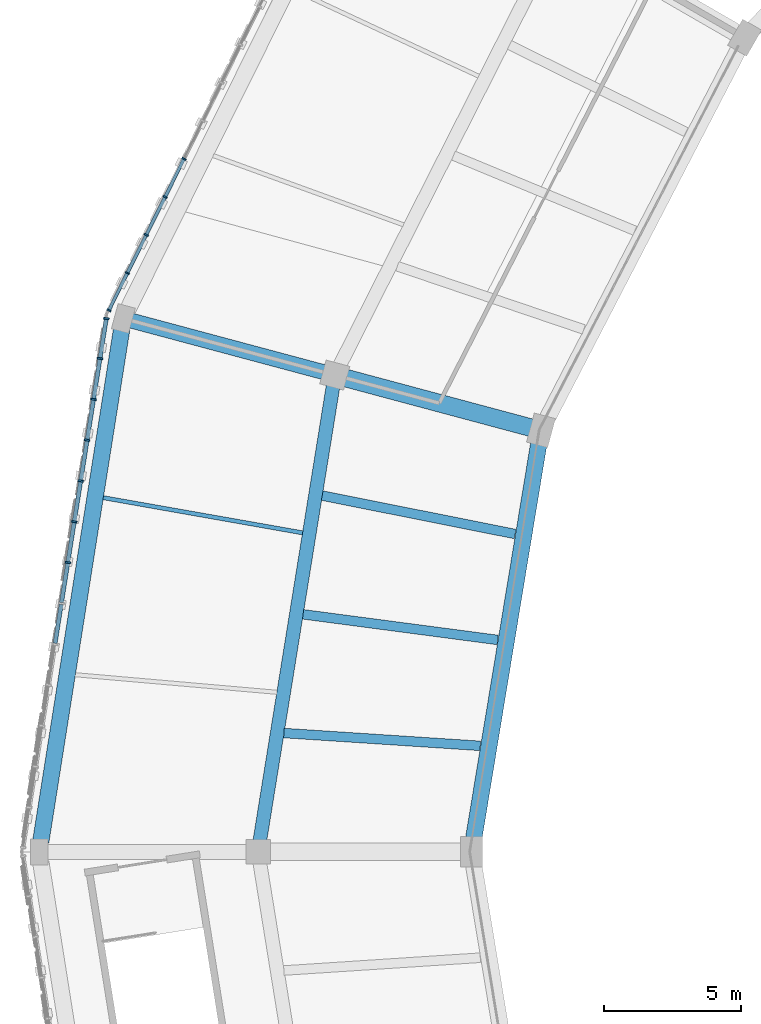
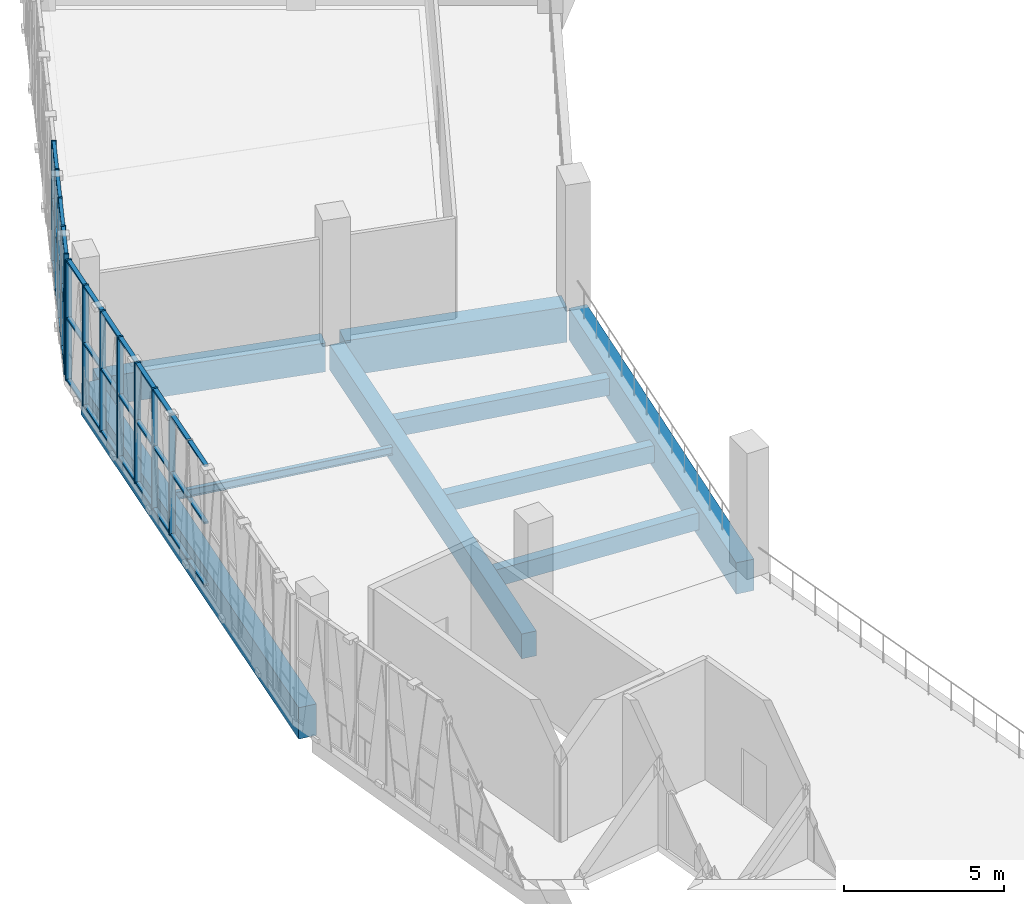
# One storey, part 13 of 64: 48 members, 9 beams, 2 elements without a shape of their own.
"""IFC4 building model written with IfcOpenShell, lengths in metres."""

import ifcopenshell
import ifcopenshell.guid

model = None  # the IFC model being written
_history = None  # IfcOwnerHistory: only IFC2X3 demands one
_inside = {}  # id of a spatial element -> (the spatial element, [elements in it])
_under = {}  # id of a project, library or spatial element -> (it, [spatial elements below it])
_declared = {}  # id of a project -> (the project, [libraries it declares])
_typed = {}  # id of a type object -> (the type object, [elements of that type])
_made_of = {}  # id of a material, layer set ... -> (it, [elements and type objects made of it])


def new_model(schema):
    """Start an empty IFC model of exactly this schema.

    Asked for "IFC4X3", IfcOpenShell would pick the latest addendum, in which some entities
    have other attributes; the version numbers below select the first issue.
    IFC2X3 requires an IfcOwnerHistory on every rooted entity: one is made here for all.
    """
    global model, _history
    if schema == "IFC4X3":
        model = ifcopenshell.file(schema_version=(4, 3, 0, 0))
    else:
        model = ifcopenshell.file(schema=schema)
    _inside.clear()
    _under.clear()
    _declared.clear()
    _typed.clear()
    _made_of.clear()
    _history = None
    if model.schema == "IFC2X3":
        org = make("IfcOrganization", Name="unknown")
        user = make(
            "IfcPersonAndOrganization",
            ThePerson=make("IfcPerson", FamilyName="unknown"),
            TheOrganization=org,
        )
        app = make(
            "IfcApplication",
            ApplicationDeveloper=org,
            Version="unknown",
            ApplicationFullName="unknown",
            ApplicationIdentifier="unknown",
        )
        _history = make(
            "IfcOwnerHistory",
            OwningUser=user,
            OwningApplication=app,
            ChangeAction="ADDED",
            CreationDate=0,
        )
    return model


def make(cls, **values):
    """One entity of the class cls with the attributes given. An attribute that is None is left unset."""
    return model.create_entity(
        cls, **{name: value for name, value in values.items() if value is not None}
    )


def rooted(cls, **values):
    """An entity with a GlobalId (a new one), such as an element, a storey or a relation."""
    return make(cls, GlobalId=ifcopenshell.guid.new(), OwnerHistory=_history, **values)


def si_unit(unit_type, name, prefix=None):
    """IfcSIUnit, for example si_unit("LENGTHUNIT", "METRE", prefix="MILLI")."""
    return make("IfcSIUnit", UnitType=unit_type, Prefix=prefix, Name=name)


def assignment(units):
    """IfcUnitAssignment: the units of a project."""
    return None if units is None else make("IfcUnitAssignment", Units=units)


def point(xyz):
    """IfcCartesianPoint."""
    return None if xyz is None else make("IfcCartesianPoint", Coordinates=xyz)


def direction(xyz):
    """IfcDirection."""
    return None if xyz is None else make("IfcDirection", DirectionRatios=xyz)


def frame(location, z_axis=None, x_axis=None):
    """IfcAxis2Placement3D, a coordinate frame: its origin and axes. An axis left out is left unset."""
    return make(
        "IfcAxis2Placement3D",
        Location=point(location),
        Axis=direction(z_axis),
        RefDirection=direction(x_axis),
    )


def frame_2d(location, x_axis=None):
    """IfcAxis2Placement2D, a coordinate frame in the plane: its origin and x axis."""
    return make(
        "IfcAxis2Placement2D", Location=point(location), RefDirection=direction(x_axis)
    )


def origin():
    """The frame at (0, 0, 0) with its axes left unset."""
    return frame((0.0, 0.0, 0.0))


def origin_2d():
    """The frame at (0, 0) in the plane with its x axis left unset."""
    return frame_2d((0.0, 0.0))


def place(relative_to, where):
    """IfcLocalPlacement: puts the frame where relative to a parent placement (None: the world)."""
    return make(
        "IfcLocalPlacement", PlacementRelTo=relative_to, RelativePlacement=where
    )


def context(
    kind, dimensions, precision=None, world=None, true_north=None, identifier=None
):
    """IfcGeometricRepresentationContext, for example the 3D "Model" context."""
    return make(
        "IfcGeometricRepresentationContext",
        ContextIdentifier=identifier,
        ContextType=kind,
        CoordinateSpaceDimension=dimensions,
        Precision=precision,
        WorldCoordinateSystem=world,
        TrueNorth=true_north,
    )


def subcontext(parent, identifier, kind, view, scale=None):
    """IfcGeometricRepresentationSubContext, for example "Body" below "Model"."""
    return make(
        "IfcGeometricRepresentationSubContext",
        ContextIdentifier=identifier,
        ContextType=kind,
        ParentContext=parent,
        TargetScale=scale,
        TargetView=view,
    )


def project(units=None, contexts=None):
    """IfcProject with its units and contexts."""
    return rooted(
        "IfcProject",
        Name="project",
        RepresentationContexts=contexts,
        UnitsInContext=assignment(units),
    )


def spatial(cls, under=None, at=None, **own):
    """A site, building, storey or space (cls), placed at a placement, below another one or the project."""
    s = rooted(cls, ObjectPlacement=at, **own)
    if under is not None:
        _under.setdefault(under.id(), (under, []))[1].append(s)
    return s


def profile(cls, at=None, kind="AREA", **sizes):
    """A parametric profile (cls). Its sizes go by their IFC names, for example OverallWidth=200.0."""
    return make(cls, ProfileType=kind, Position=at, **sizes)


def rectangle(**sizes):
    """IfcRectangleProfileDef."""
    return profile("IfcRectangleProfileDef", **sizes)


def i_section(**sizes):
    """IfcIShapeProfileDef."""
    return profile("IfcIShapeProfileDef", **sizes)


def extrude(swept, where, along, depth):
    """IfcExtrudedAreaSolid: the profile swept, set in the frame where, extruded along a direction by depth."""
    return make(
        "IfcExtrudedAreaSolid",
        SweptArea=swept,
        Position=where,
        ExtrudedDirection=direction(along),
        Depth=depth,
    )


def shape(context_of_items, identifier, shape_type, items):
    """IfcShapeRepresentation: the items that make up one representation, for example the "Body"."""
    return make(
        "IfcShapeRepresentation",
        ContextOfItems=context_of_items,
        RepresentationIdentifier=identifier,
        RepresentationType=shape_type,
        Items=items,
    )


def material(Name=None, Category=None):
    """IfcMaterial."""
    return make("IfcMaterial", Name=Name, Category=Category)


def material_profile(
    of_material, cross_section, Name=None, Category=None, Priority=None
):
    """IfcMaterialProfile: a cross section and its material."""
    return make(
        "IfcMaterialProfile",
        Name=Name,
        Material=of_material,
        Profile=cross_section,
        Priority=Priority,
        Category=Category,
    )


def profile_set(profiles, Name=None, composite=None):
    """IfcMaterialProfileSet."""
    return make(
        "IfcMaterialProfileSet",
        Name=Name,
        MaterialProfiles=profiles,
        CompositeProfile=composite,
    )


def made_of(thing, what):
    """Note that an element or type object is made of a material, layer set ...; save() writes the relation."""
    if what is not None:
        _made_of.setdefault(what.id(), (what, []))[1].append(thing)
    return thing


def type_object(cls, material=None, **own):
    """A type object (cls), such as IfcWallType, which elements share."""
    return made_of(rooted(cls, **own), material)


def element(
    cls,
    number,
    at=None,
    inside=None,
    cuts=None,
    type_object=None,
    material=None,
    context=None,
    identifier="Body",
    shape_type=None,
    held_by="IfcProductDefinitionShape",
    body=None,
    shapes=None,
    **own,
):
    """One element of the class cls, such as IfcWall. Its Tag is "e" and its number.

    at: its placement. inside: the storey or other place that contains it. cuts: it is an
    opening in that element (IfcRelVoidsElement). A single representation is given by context,
    identifier, shape_type and body (its items); several are given by shapes. held_by: the class
    of the entity that holds the representations. save() writes the other relations.
    """
    e = rooted(cls, Tag="e%d" % number, ObjectPlacement=at, **own)
    if body is not None:
        shapes = [shape(context, identifier, shape_type, body)]
    if shapes is not None:
        e.Representation = make(held_by, Representations=shapes)
    if inside is not None:
        _inside.setdefault(inside.id(), (inside, []))[1].append(e)
    if cuts is not None:
        rooted(
            "IfcRelVoidsElement", RelatingBuildingElement=cuts, RelatedOpeningElement=e
        )
    if type_object is not None:
        _typed.setdefault(type_object.id(), (type_object, []))[1].append(e)
    return made_of(e, material)


def aggregate(whole, parts):
    """IfcRelAggregates: a whole, such as a stair, and the parts it consists of."""
    return rooted("IfcRelAggregates", RelatingObject=whole, RelatedObjects=parts)


def save(model, path):
    """Write the relations noted so far, then the file.

    IfcRelAggregates (storeys below a building ...), IfcRelContainedInSpatialStructure (elements
    in a storey), IfcRelDefinesByType, IfcRelAssociatesMaterial and IfcRelDeclares: one each for
    every whole, place, type object, material and project.
    """
    for whole, parts in _under.values():
        aggregate(whole, parts)
    for where, things in _inside.values():
        rooted(
            "IfcRelContainedInSpatialStructure",
            RelatedElements=things,
            RelatingStructure=where,
        )
    for kind, things in _typed.values():
        rooted("IfcRelDefinesByType", RelatedObjects=things, RelatingType=kind)
    for what, things in _made_of.values():
        rooted("IfcRelAssociatesMaterial", RelatedObjects=things, RelatingMaterial=what)
    for by, libraries in _declared.values():
        rooted("IfcRelDeclares", RelatingContext=by, RelatedDefinitions=libraries)
    model.write(path)


model = new_model("IFC4")

# Units and contexts
model_context = context("Model", 3, precision=1e-05, world=origin(), true_north=direction((0.0, 1.0)))
body_context = subcontext(model_context, "Body", "Model", "MODEL_VIEW")
ifc_project = project(units=[si_unit("LENGTHUNIT", "METRE"), si_unit("AREAUNIT", "SQUARE_METRE"), si_unit("VOLUMEUNIT", "CUBIC_METRE"), si_unit("PLANEANGLEUNIT", "RADIAN"), si_unit("MASSUNIT", "GRAM", prefix="KILO")], contexts=[model_context])

# Site, building, storey
site_placement = place(None, origin())
site = spatial("IfcSite", under=ifc_project, at=site_placement, CompositionType="ELEMENT")
building_placement = place(site_placement, origin())
building = spatial("IfcBuilding", under=site, at=building_placement, Name="Zevraka Park Crest Stadium", CompositionType="ELEMENT")
storey_placement = place(building_placement, frame((0.0, 0.0, 24.60009765625)))
storey = spatial("IfcBuildingStorey", under=building, at=storey_placement, Name="L05", CompositionType="ELEMENT", Elevation=24.60009765625)

# Beams
ifc_material_1 = material(Name="Concrete C40/50", Category="concrete")
ifc_material_profile_1 = material_profile(ifc_material_1, rectangle(XDim=0.64990234375, YDim=1.35009765625, at=origin_2d()), Name="RC 1350x650")
ifc_profile_set_1 = profile_set([ifc_material_profile_1], Name="Concrete C40/50")
beam_type_1 = type_object("IfcBeamType", Name="BG01", PredefinedType="BEAM", material=ifc_profile_set_1)
beam_1_placement = place(storey_placement, frame((39.7490234375, 107.47802734375, -0.68505859375), z_axis=(-0.965945630245, 0.258745124417, 0.0), x_axis=(-0.258745124417, -0.965945630245, 0.0)))
element("IfcBeam", 1, at=beam_1_placement, inside=storey, type_object=beam_type_1, Name="Radial Girder BG01 L05-BC-11", PredefinedType="BEAM", context=body_context, shape_type="SweptSolid", body=[
    extrude(rectangle(XDim=0.64990234375, YDim=1.35009765625, at=origin_2d()), origin(), (0.0, 0.0, 1.0), 7.2001953125),
])
ifc_material_2 = material(Name="Concrete C40/50", Category="concrete")
ifc_material_profile_2 = material_profile(ifc_material_2, rectangle(XDim=0.550048828125, YDim=1.10009765625, at=origin_2d()), Name="RC 1100x550")
ifc_profile_set_2 = profile_set([ifc_material_profile_2], Name="Concrete C40/50")
beam_type_2 = type_object("IfcBeamType", Name="BG02", PredefinedType="BEAM", material=ifc_profile_set_2)
beam_2_placement = place(storey_placement, frame((32.214111328125, 109.4970703125, -0.56005859375), z_axis=(-0.965968812251, 0.258658565986, 0.0), x_axis=(-0.258658565986, -0.965968812251, 0.0)))
element("IfcBeam", 2, at=beam_2_placement, inside=storey, type_object=beam_type_2, Name="Radial Girder BG02 L05-CD-11", PredefinedType="BEAM", context=body_context, shape_type="SweptSolid", body=[
    extrude(rectangle(XDim=0.550048828125, YDim=1.10009765625, at=origin_2d()), origin(), (0.0, 0.0, 1.0), 7.39892578125),
])

# Curtain wall, members
ifc_material_3 = material(Name="Anodised architectural aluminium and laminated safety glass", Category="aluminium")
curtain_wall_type_1 = type_object("IfcCurtainWallType", Name="CW22", PredefinedType="NOTDEFINED", material=ifc_material_3)
curtain_wall_1_placement = place(storey_placement, origin())
curtain_wall_1 = element("IfcCurtainWall", 3, at=curtain_wall_1_placement, inside=storey, type_object=curtain_wall_type_1, Name="Unitised Ring Curtain Wall CW22 L05-10", PredefinedType="NOTDEFINED")
ifc_material_4 = material(Name="Anodised architectural aluminium", Category="aluminium")
ifc_material_profile_3 = material_profile(ifc_material_4, rectangle(XDim=0.159912109375, YDim=0.06005859375, at=origin_2d()), Name="ALU MULLION 160x60")
ifc_profile_set_3 = profile_set([ifc_material_profile_3], Name="Anodised architectural aluminium")
member_type_1 = type_object("IfcMemberType", Name="CM01", PredefinedType="MULLION", material=ifc_profile_set_3)
member_1_placement = place(storey_placement, frame((26.99365234375, 117.32275390625, 0.0), z_axis=(0.0, 0.0, 1.0), x_axis=(0.895879320455, -0.444297471499, 0.0)))
member_1 = element("IfcMember", 4, at=member_1_placement, type_object=member_type_1, Name="CW22 mullion 10", PredefinedType="MULLION", context=body_context, shape_type="SweptSolid", body=[
    extrude(rectangle(XDim=0.159912109375, YDim=0.06005859375, at=origin_2d()), origin(), (0.0, 0.0, 1.0), 4.619873046875),
])
member_2_placement = place(storey_placement, frame((26.303955078125, 115.93212890625, 0.0), z_axis=(0.0, 0.0, 1.0), x_axis=(0.895879320455, -0.444297471499, 0.0)))
member_2 = element("IfcMember", 5, at=member_2_placement, type_object=member_type_1, Name="CW22 mullion 11", PredefinedType="MULLION", context=body_context, shape_type="SweptSolid", body=[
    extrude(rectangle(XDim=0.159912109375, YDim=0.06005859375, at=origin_2d()), origin(), (0.0, 0.0, 1.0), 4.619873046875),
])
member_3_placement = place(storey_placement, frame((25.614501953125, 114.54150390625, 0.0), z_axis=(0.0, 0.0, 1.0), x_axis=(0.895879320455, -0.444297471499, 0.0)))
member_3 = element("IfcMember", 6, at=member_3_placement, type_object=member_type_1, Name="CW22 mullion 12", PredefinedType="MULLION", context=body_context, shape_type="SweptSolid", body=[
    extrude(rectangle(XDim=0.159912109375, YDim=0.06005859375, at=origin_2d()), origin(), (0.0, 0.0, 1.0), 4.619873046875),
])
member_4_placement = place(storey_placement, frame((24.9248046875, 113.150634765625, 0.0), z_axis=(0.0, 0.0, 1.0), x_axis=(0.895879320455, -0.444297471499, 0.0)))
member_4 = element("IfcMember", 7, at=member_4_placement, type_object=member_type_1, Name="CW22 mullion 13", PredefinedType="MULLION", context=body_context, shape_type="SweptSolid", body=[
    extrude(rectangle(XDim=0.159912109375, YDim=0.06005859375, at=origin_2d()), origin(), (0.0, 0.0, 1.0), 4.619873046875),
])
member_5_placement = place(storey_placement, frame((24.248291015625, 111.786865234375, 0.0), z_axis=(0.0, 0.0, 1.0), x_axis=(0.895879320455, -0.444297471499, 0.0)))
member_5 = element("IfcMember", 8, at=member_5_placement, type_object=member_type_1, Name="CW22 mullion 14", PredefinedType="MULLION", context=body_context, shape_type="SweptSolid", body=[
    extrude(rectangle(XDim=0.159912109375, YDim=0.06005859375, at=origin_2d()), origin(), (0.0, 0.0, 1.0), 4.619873046875),
])

ifc_material_5 = material(Name="Anodised architectural aluminium and laminated safety glass", Category="aluminium")
curtain_wall_type_2 = type_object("IfcCurtainWallType", Name="CW21", PredefinedType="NOTDEFINED", material=ifc_material_5)
curtain_wall_2_placement = place(storey_placement, origin())
curtain_wall_2 = element("IfcCurtainWall", 9, at=curtain_wall_2_placement, inside=storey, type_object=curtain_wall_type_2, Name="Unitised Ring Curtain Wall CW21 L05-11", PredefinedType="NOTDEFINED")
ifc_material_6 = material(Name="Anodised architectural aluminium", Category="aluminium")
ifc_material_profile_4 = material_profile(ifc_material_6, rectangle(XDim=0.199951171875, YDim=0.070068359375, at=origin_2d()), Name="ALU MULLION 200x70")
ifc_profile_set_4 = profile_set([ifc_material_profile_4], Name="Anodised architectural aluminium")
member_type_2 = type_object("IfcMemberType", Name="CM03", PredefinedType="MULLION", material=ifc_profile_set_4)
member_6_placement = place(storey_placement, frame((24.152587890625, 111.484375, 0.0), z_axis=(0.0, 0.0, 1.0), x_axis=(0.987802580924, -0.155711467527, 0.0)))
member_6 = element("IfcMember", 10, at=member_6_placement, type_object=member_type_2, Name="CW21 mullion 1", PredefinedType="MULLION", context=body_context, shape_type="SweptSolid", body=[
    extrude(rectangle(XDim=0.199951171875, YDim=0.070068359375, at=origin_2d()), origin(), (0.0, 0.0, 1.0), 4.619873046875),
])
member_7_placement = place(storey_placement, frame((23.9228515625, 110.02734375, 0.0), z_axis=(0.0, 0.0, 1.0), x_axis=(0.987802580924, -0.155711467527, 0.0)))
member_7 = element("IfcMember", 11, at=member_7_placement, type_object=member_type_2, Name="CW21 mullion 2", PredefinedType="MULLION", context=body_context, shape_type="SweptSolid", body=[
    extrude(rectangle(XDim=0.199951171875, YDim=0.070068359375, at=origin_2d()), origin(), (0.0, 0.0, 1.0), 4.619873046875),
])
member_8_placement = place(storey_placement, frame((23.687744140625, 108.535400390625, 0.0), z_axis=(0.0, 0.0, 1.0), x_axis=(0.987802580924, -0.155711467527, 0.0)))
member_8 = element("IfcMember", 12, at=member_8_placement, type_object=member_type_2, Name="CW21 mullion 3", PredefinedType="MULLION", context=body_context, shape_type="SweptSolid", body=[
    extrude(rectangle(XDim=0.199951171875, YDim=0.070068359375, at=origin_2d()), origin(), (0.0, 0.0, 1.0), 4.619873046875),
])
member_9_placement = place(storey_placement, frame((23.45263671875, 107.043701171875, 0.0), z_axis=(0.0, 0.0, 1.0), x_axis=(0.987802580924, -0.155711467527, 0.0)))
member_9 = element("IfcMember", 13, at=member_9_placement, type_object=member_type_2, Name="CW21 mullion 4", PredefinedType="MULLION", context=body_context, shape_type="SweptSolid", body=[
    extrude(rectangle(XDim=0.199951171875, YDim=0.070068359375, at=origin_2d()), origin(), (0.0, 0.0, 1.0), 4.619873046875),
])
member_10_placement = place(storey_placement, frame((23.21728515625, 105.552001953125, 0.0), z_axis=(0.0, 0.0, 1.0), x_axis=(0.987802580924, -0.155711467527, 0.0)))
member_10 = element("IfcMember", 14, at=member_10_placement, type_object=member_type_2, Name="CW21 mullion 5", PredefinedType="MULLION", context=body_context, shape_type="SweptSolid", body=[
    extrude(rectangle(XDim=0.199951171875, YDim=0.070068359375, at=origin_2d()), origin(), (0.0, 0.0, 1.0), 4.619873046875),
])
member_11_placement = place(storey_placement, frame((22.982177734375, 104.06005859375, 0.0), z_axis=(0.0, 0.0, 1.0), x_axis=(0.987802580924, -0.155711467527, 0.0)))
member_11 = element("IfcMember", 15, at=member_11_placement, type_object=member_type_2, Name="CW21 mullion 6", PredefinedType="MULLION", context=body_context, shape_type="SweptSolid", body=[
    extrude(rectangle(XDim=0.199951171875, YDim=0.070068359375, at=origin_2d()), origin(), (0.0, 0.0, 1.0), 4.619873046875),
])
member_12_placement = place(storey_placement, frame((22.7470703125, 102.568359375, 0.0), z_axis=(0.0, 0.0, 1.0), x_axis=(0.987802580924, -0.155711467527, 0.0)))
member_12 = element("IfcMember", 16, at=member_12_placement, type_object=member_type_2, Name="CW21 mullion 7", PredefinedType="MULLION", context=body_context, shape_type="SweptSolid", body=[
    extrude(rectangle(XDim=0.199951171875, YDim=0.070068359375, at=origin_2d()), origin(), (0.0, 0.0, 1.0), 4.619873046875),
])

# Member
ifc_material_7 = material(Name="Anodised architectural aluminium", Category="aluminium")
ifc_material_profile_5 = material_profile(ifc_material_7, rectangle(XDim=0.1201171875, YDim=0.06005859375, at=origin_2d()), Name="ALU TRANSOM 120x60")
ifc_profile_set_5 = profile_set([ifc_material_profile_5], Name="Anodised architectural aluminium")
member_type_3 = type_object("IfcMemberType", Name="CT01", PredefinedType="USERDEFINED", material=ifc_profile_set_5)
member_13_placement = place(storey_placement, frame((26.98046875, 117.2958984375, 0.02978515625), z_axis=(-0.444331954809, -0.895862218165, 0.0), x_axis=(0.895862218165, -0.444331954809, 0.0)))
member_13 = element("IfcMember", 17, at=member_13_placement, type_object=member_type_3, Name="CW22 transom 10.1", ObjectType="TRANSOM", PredefinedType="USERDEFINED", context=body_context, shape_type="SweptSolid", body=[
    extrude(rectangle(XDim=0.1201171875, YDim=0.06005859375, at=origin_2d()), origin(), (0.0, 0.0, 1.0), 1.492431640625),
])

member_14_placement = place(storey_placement, frame((26.98046875, 117.2958984375, 2.39990234375), z_axis=(-0.444331954809, -0.895862218165, 0.0), x_axis=(0.895862218165, -0.444331954809, 0.0)))
member_14 = element("IfcMember", 18, at=member_14_placement, type_object=member_type_3, Name="CW22 transom 10.2", ObjectType="TRANSOM", PredefinedType="USERDEFINED", context=body_context, shape_type="SweptSolid", body=[
    extrude(rectangle(XDim=0.1201171875, YDim=0.06005859375, at=origin_2d()), origin(), (0.0, 0.0, 1.0), 1.492431640625),
])

member_15_placement = place(storey_placement, frame((26.98046875, 117.2958984375, 4.58984375), z_axis=(-0.444331954809, -0.895862218165, 0.0), x_axis=(0.895862218165, -0.444331954809, 0.0)))
member_15 = element("IfcMember", 19, at=member_15_placement, type_object=member_type_3, Name="CW22 transom 10.3", ObjectType="TRANSOM", PredefinedType="USERDEFINED", context=body_context, shape_type="SweptSolid", body=[
    extrude(rectangle(XDim=0.1201171875, YDim=0.06005859375, at=origin_2d()), origin(), (0.0, 0.0, 1.0), 1.492431640625),
])

member_16_placement = place(storey_placement, frame((26.290771484375, 115.9052734375, 0.02978515625), z_axis=(-0.444331954809, -0.895862218165, 0.0), x_axis=(0.895862218165, -0.444331954809, 0.0)))
member_16 = element("IfcMember", 20, at=member_16_placement, type_object=member_type_3, Name="CW22 transom 11.1", ObjectType="TRANSOM", PredefinedType="USERDEFINED", context=body_context, shape_type="SweptSolid", body=[
    extrude(rectangle(XDim=0.1201171875, YDim=0.06005859375, at=origin_2d()), origin(), (0.0, 0.0, 1.0), 1.492431640625),
])

member_17_placement = place(storey_placement, frame((26.290771484375, 115.9052734375, 2.39990234375), z_axis=(-0.444331954809, -0.895862218165, 0.0), x_axis=(0.895862218165, -0.444331954809, 0.0)))
member_17 = element("IfcMember", 21, at=member_17_placement, type_object=member_type_3, Name="CW22 transom 11.2", ObjectType="TRANSOM", PredefinedType="USERDEFINED", context=body_context, shape_type="SweptSolid", body=[
    extrude(rectangle(XDim=0.1201171875, YDim=0.06005859375, at=origin_2d()), origin(), (0.0, 0.0, 1.0), 1.492431640625),
])

member_18_placement = place(storey_placement, frame((26.290771484375, 115.9052734375, 4.58984375), z_axis=(-0.444331954809, -0.895862218165, 0.0), x_axis=(0.895862218165, -0.444331954809, 0.0)))
member_18 = element("IfcMember", 22, at=member_18_placement, type_object=member_type_3, Name="CW22 transom 11.3", ObjectType="TRANSOM", PredefinedType="USERDEFINED", context=body_context, shape_type="SweptSolid", body=[
    extrude(rectangle(XDim=0.1201171875, YDim=0.06005859375, at=origin_2d()), origin(), (0.0, 0.0, 1.0), 1.492431640625),
])

member_19_placement = place(storey_placement, frame((25.60107421875, 114.514404296875, 0.02978515625), z_axis=(-0.444331954809, -0.895862218165, 0.0), x_axis=(0.895862218165, -0.444331954809, 0.0)))
member_19 = element("IfcMember", 23, at=member_19_placement, type_object=member_type_3, Name="CW22 transom 12.1", ObjectType="TRANSOM", PredefinedType="USERDEFINED", context=body_context, shape_type="SweptSolid", body=[
    extrude(rectangle(XDim=0.1201171875, YDim=0.06005859375, at=origin_2d()), origin(), (0.0, 0.0, 1.0), 1.492431640625),
])

member_20_placement = place(storey_placement, frame((25.60107421875, 114.514404296875, 2.39990234375), z_axis=(-0.444331954809, -0.895862218165, 0.0), x_axis=(0.895862218165, -0.444331954809, 0.0)))
member_20 = element("IfcMember", 24, at=member_20_placement, type_object=member_type_3, Name="CW22 transom 12.2", ObjectType="TRANSOM", PredefinedType="USERDEFINED", context=body_context, shape_type="SweptSolid", body=[
    extrude(rectangle(XDim=0.1201171875, YDim=0.06005859375, at=origin_2d()), origin(), (0.0, 0.0, 1.0), 1.492431640625),
])

member_21_placement = place(storey_placement, frame((25.60107421875, 114.514404296875, 4.58984375), z_axis=(-0.444331954809, -0.895862218165, 0.0), x_axis=(0.895862218165, -0.444331954809, 0.0)))
member_21 = element("IfcMember", 25, at=member_21_placement, type_object=member_type_3, Name="CW22 transom 12.3", ObjectType="TRANSOM", PredefinedType="USERDEFINED", context=body_context, shape_type="SweptSolid", body=[
    extrude(rectangle(XDim=0.1201171875, YDim=0.06005859375, at=origin_2d()), origin(), (0.0, 0.0, 1.0), 1.492431640625),
])

member_22_placement = place(storey_placement, frame((24.911376953125, 113.123779296875, 0.02978515625), z_axis=(-0.444272737826, -0.895891586312, 0.0), x_axis=(0.895891586312, -0.444272737826, 0.0)))
member_22 = element("IfcMember", 26, at=member_22_placement, type_object=member_type_3, Name="CW22 transom 13.1", ObjectType="TRANSOM", PredefinedType="USERDEFINED", context=body_context, shape_type="SweptSolid", body=[
    extrude(rectangle(XDim=0.1201171875, YDim=0.06005859375, at=origin_2d()), origin(), (0.0, 0.0, 1.0), 1.46240234375),
])

member_23_placement = place(storey_placement, frame((24.911376953125, 113.123779296875, 2.39990234375), z_axis=(-0.444272737826, -0.895891586312, 0.0), x_axis=(0.895891586312, -0.444272737826, 0.0)))
member_23 = element("IfcMember", 27, at=member_23_placement, type_object=member_type_3, Name="CW22 transom 13.2", ObjectType="TRANSOM", PredefinedType="USERDEFINED", context=body_context, shape_type="SweptSolid", body=[
    extrude(rectangle(XDim=0.1201171875, YDim=0.06005859375, at=origin_2d()), origin(), (0.0, 0.0, 1.0), 1.46240234375),
])

member_24_placement = place(storey_placement, frame((24.911376953125, 113.123779296875, 4.58984375), z_axis=(-0.444272737826, -0.895891586312, 0.0), x_axis=(0.895891586312, -0.444272737826, 0.0)))
member_24 = element("IfcMember", 28, at=member_24_placement, type_object=member_type_3, Name="CW22 transom 13.3", ObjectType="TRANSOM", PredefinedType="USERDEFINED", context=body_context, shape_type="SweptSolid", body=[
    extrude(rectangle(XDim=0.1201171875, YDim=0.06005859375, at=origin_2d()), origin(), (0.0, 0.0, 1.0), 1.46240234375),
])

aggregate(curtain_wall_1, [member_1, member_2, member_3, member_4, member_5, member_13, member_14, member_15, member_16, member_17, member_18, member_19, member_20, member_21, member_22, member_23, member_24])

ifc_material_8 = material(Name="Anodised architectural aluminium", Category="aluminium")
ifc_material_profile_6 = material_profile(ifc_material_8, rectangle(XDim=0.14990234375, YDim=0.070068359375, at=origin_2d()), Name="ALU TRANSOM 150x70")
ifc_profile_set_6 = profile_set([ifc_material_profile_6], Name="Anodised architectural aluminium")
member_type_4 = type_object("IfcMemberType", Name="CT03", PredefinedType="USERDEFINED", material=ifc_profile_set_6)
member_25_placement = place(storey_placement, frame((24.147216796875, 111.449951171875, 0.034912109375), z_axis=(-0.155828759043, -0.987784084634, 0.0), x_axis=(0.987784084634, -0.155828759043, 0.0)))
member_25 = element("IfcMember", 29, at=member_25_placement, type_object=member_type_4, Name="CW21 transom 1.1", ObjectType="TRANSOM", PredefinedType="USERDEFINED", context=body_context, shape_type="SweptSolid", body=[
    extrude(rectangle(XDim=0.14990234375, YDim=0.070068359375, at=origin_2d()), origin(), (0.0, 0.0, 1.0), 1.4052734375),
])

member_26_placement = place(storey_placement, frame((24.147216796875, 111.449951171875, 2.39990234375), z_axis=(-0.155828759043, -0.987784084634, 0.0), x_axis=(0.987784084634, -0.155828759043, 0.0)))
member_26 = element("IfcMember", 30, at=member_26_placement, type_object=member_type_4, Name="CW21 transom 1.2", ObjectType="TRANSOM", PredefinedType="USERDEFINED", context=body_context, shape_type="SweptSolid", body=[
    extrude(rectangle(XDim=0.14990234375, YDim=0.070068359375, at=origin_2d()), origin(), (0.0, 0.0, 1.0), 1.4052734375),
])

member_27_placement = place(storey_placement, frame((24.147216796875, 111.449951171875, 4.5849609375), z_axis=(-0.155828759043, -0.987784084634, 0.0), x_axis=(0.987784084634, -0.155828759043, 0.0)))
member_27 = element("IfcMember", 31, at=member_27_placement, type_object=member_type_4, Name="CW21 transom 1.3", ObjectType="TRANSOM", PredefinedType="USERDEFINED", context=body_context, shape_type="SweptSolid", body=[
    extrude(rectangle(XDim=0.14990234375, YDim=0.070068359375, at=origin_2d()), origin(), (0.0, 0.0, 1.0), 1.4052734375),
])

member_28_placement = place(storey_placement, frame((23.91748046875, 109.99267578125, 0.034912109375), z_axis=(-0.155788469887, -0.987790439643, 0.0), x_axis=(0.987790439643, -0.155788469887, 0.0)))
member_28 = element("IfcMember", 32, at=member_28_placement, type_object=member_type_4, Name="CW21 transom 2.1", ObjectType="TRANSOM", PredefinedType="USERDEFINED", context=body_context, shape_type="SweptSolid", body=[
    extrude(rectangle(XDim=0.14990234375, YDim=0.070068359375, at=origin_2d()), origin(), (0.0, 0.0, 1.0), 1.440185546875),
])

member_29_placement = place(storey_placement, frame((23.91748046875, 109.99267578125, 2.39990234375), z_axis=(-0.155788469887, -0.987790439643, 0.0), x_axis=(0.987790439643, -0.155788469887, 0.0)))
member_29 = element("IfcMember", 33, at=member_29_placement, type_object=member_type_4, Name="CW21 transom 2.2", ObjectType="TRANSOM", PredefinedType="USERDEFINED", context=body_context, shape_type="SweptSolid", body=[
    extrude(rectangle(XDim=0.14990234375, YDim=0.070068359375, at=origin_2d()), origin(), (0.0, 0.0, 1.0), 1.440185546875),
])

member_30_placement = place(storey_placement, frame((23.91748046875, 109.99267578125, 4.5849609375), z_axis=(-0.155788469887, -0.987790439643, 0.0), x_axis=(0.987790439643, -0.155788469887, 0.0)))
member_30 = element("IfcMember", 34, at=member_30_placement, type_object=member_type_4, Name="CW21 transom 2.3", ObjectType="TRANSOM", PredefinedType="USERDEFINED", context=body_context, shape_type="SweptSolid", body=[
    extrude(rectangle(XDim=0.14990234375, YDim=0.070068359375, at=origin_2d()), origin(), (0.0, 0.0, 1.0), 1.440185546875),
])

member_31_placement = place(storey_placement, frame((23.68212890625, 108.5009765625, 0.034912109375), z_axis=(-0.155623058031, -0.98781651323, 0.0), x_axis=(0.98781651323, -0.155623058031, 0.0)))
member_31 = element("IfcMember", 35, at=member_31_placement, type_object=member_type_4, Name="CW21 transom 3.1", ObjectType="TRANSOM", PredefinedType="USERDEFINED", context=body_context, shape_type="SweptSolid", body=[
    extrude(rectangle(XDim=0.14990234375, YDim=0.070068359375, at=origin_2d()), origin(), (0.0, 0.0, 1.0), 1.440185546875),
])

member_32_placement = place(storey_placement, frame((23.68212890625, 108.5009765625, 2.39990234375), z_axis=(-0.155623058031, -0.98781651323, 0.0), x_axis=(0.98781651323, -0.155623058031, 0.0)))
member_32 = element("IfcMember", 36, at=member_32_placement, type_object=member_type_4, Name="CW21 transom 3.2", ObjectType="TRANSOM", PredefinedType="USERDEFINED", context=body_context, shape_type="SweptSolid", body=[
    extrude(rectangle(XDim=0.14990234375, YDim=0.070068359375, at=origin_2d()), origin(), (0.0, 0.0, 1.0), 1.440185546875),
])

member_33_placement = place(storey_placement, frame((23.68212890625, 108.5009765625, 4.5849609375), z_axis=(-0.155623058031, -0.98781651323, 0.0), x_axis=(0.98781651323, -0.155623058031, 0.0)))
member_33 = element("IfcMember", 37, at=member_33_placement, type_object=member_type_4, Name="CW21 transom 3.3", ObjectType="TRANSOM", PredefinedType="USERDEFINED", context=body_context, shape_type="SweptSolid", body=[
    extrude(rectangle(XDim=0.14990234375, YDim=0.070068359375, at=origin_2d()), origin(), (0.0, 0.0, 1.0), 1.440185546875),
])

member_34_placement = place(storey_placement, frame((23.447021484375, 107.009033203125, 0.034912109375), z_axis=(-0.155623058031, -0.98781651323, 0.0), x_axis=(0.98781651323, -0.155623058031, 0.0)))
member_34 = element("IfcMember", 38, at=member_34_placement, type_object=member_type_4, Name="CW21 transom 4.1", ObjectType="TRANSOM", PredefinedType="USERDEFINED", context=body_context, shape_type="SweptSolid", body=[
    extrude(rectangle(XDim=0.14990234375, YDim=0.070068359375, at=origin_2d()), origin(), (0.0, 0.0, 1.0), 1.440185546875),
])

member_35_placement = place(storey_placement, frame((23.447021484375, 107.009033203125, 2.39990234375), z_axis=(-0.155623058031, -0.98781651323, 0.0), x_axis=(0.98781651323, -0.155623058031, 0.0)))
member_35 = element("IfcMember", 39, at=member_35_placement, type_object=member_type_4, Name="CW21 transom 4.2", ObjectType="TRANSOM", PredefinedType="USERDEFINED", context=body_context, shape_type="SweptSolid", body=[
    extrude(rectangle(XDim=0.14990234375, YDim=0.070068359375, at=origin_2d()), origin(), (0.0, 0.0, 1.0), 1.440185546875),
])

member_36_placement = place(storey_placement, frame((23.447021484375, 107.009033203125, 4.5849609375), z_axis=(-0.155623058031, -0.98781651323, 0.0), x_axis=(0.98781651323, -0.155623058031, 0.0)))
member_36 = element("IfcMember", 40, at=member_36_placement, type_object=member_type_4, Name="CW21 transom 4.3", ObjectType="TRANSOM", PredefinedType="USERDEFINED", context=body_context, shape_type="SweptSolid", body=[
    extrude(rectangle(XDim=0.14990234375, YDim=0.070068359375, at=origin_2d()), origin(), (0.0, 0.0, 1.0), 1.440185546875),
])

member_37_placement = place(storey_placement, frame((23.2119140625, 105.517333984375, 0.034912109375), z_axis=(-0.155623058031, -0.98781651323, 0.0), x_axis=(0.98781651323, -0.155623058031, 0.0)))
member_37 = element("IfcMember", 41, at=member_37_placement, type_object=member_type_4, Name="CW21 transom 5.1", ObjectType="TRANSOM", PredefinedType="USERDEFINED", context=body_context, shape_type="SweptSolid", body=[
    extrude(rectangle(XDim=0.14990234375, YDim=0.070068359375, at=origin_2d()), origin(), (0.0, 0.0, 1.0), 1.440185546875),
])

member_38_placement = place(storey_placement, frame((23.2119140625, 105.517333984375, 2.39990234375), z_axis=(-0.155623058031, -0.98781651323, 0.0), x_axis=(0.98781651323, -0.155623058031, 0.0)))
member_38 = element("IfcMember", 42, at=member_38_placement, type_object=member_type_4, Name="CW21 transom 5.2", ObjectType="TRANSOM", PredefinedType="USERDEFINED", context=body_context, shape_type="SweptSolid", body=[
    extrude(rectangle(XDim=0.14990234375, YDim=0.070068359375, at=origin_2d()), origin(), (0.0, 0.0, 1.0), 1.440185546875),
])

member_39_placement = place(storey_placement, frame((23.2119140625, 105.517333984375, 4.5849609375), z_axis=(-0.155623058031, -0.98781651323, 0.0), x_axis=(0.98781651323, -0.155623058031, 0.0)))
member_39 = element("IfcMember", 43, at=member_39_placement, type_object=member_type_4, Name="CW21 transom 5.3", ObjectType="TRANSOM", PredefinedType="USERDEFINED", context=body_context, shape_type="SweptSolid", body=[
    extrude(rectangle(XDim=0.14990234375, YDim=0.070068359375, at=origin_2d()), origin(), (0.0, 0.0, 1.0), 1.440185546875),
])

member_40_placement = place(storey_placement, frame((22.976806640625, 104.025634765625, 0.034912109375), z_axis=(-0.155788469887, -0.987790439643, 0.0), x_axis=(0.987790439643, -0.155788469887, 0.0)))
member_40 = element("IfcMember", 44, at=member_40_placement, type_object=member_type_4, Name="CW21 transom 6.1", ObjectType="TRANSOM", PredefinedType="USERDEFINED", context=body_context, shape_type="SweptSolid", body=[
    extrude(rectangle(XDim=0.14990234375, YDim=0.070068359375, at=origin_2d()), origin(), (0.0, 0.0, 1.0), 1.440185546875),
])

member_41_placement = place(storey_placement, frame((22.976806640625, 104.025634765625, 2.39990234375), z_axis=(-0.155788469887, -0.987790439643, 0.0), x_axis=(0.987790439643, -0.155788469887, 0.0)))
member_41 = element("IfcMember", 45, at=member_41_placement, type_object=member_type_4, Name="CW21 transom 6.2", ObjectType="TRANSOM", PredefinedType="USERDEFINED", context=body_context, shape_type="SweptSolid", body=[
    extrude(rectangle(XDim=0.14990234375, YDim=0.070068359375, at=origin_2d()), origin(), (0.0, 0.0, 1.0), 1.440185546875),
])

member_42_placement = place(storey_placement, frame((22.976806640625, 104.025634765625, 4.5849609375), z_axis=(-0.155788469887, -0.987790439643, 0.0), x_axis=(0.987790439643, -0.155788469887, 0.0)))
member_42 = element("IfcMember", 46, at=member_42_placement, type_object=member_type_4, Name="CW21 transom 6.3", ObjectType="TRANSOM", PredefinedType="USERDEFINED", context=body_context, shape_type="SweptSolid", body=[
    extrude(rectangle(XDim=0.14990234375, YDim=0.070068359375, at=origin_2d()), origin(), (0.0, 0.0, 1.0), 1.440185546875),
])

member_43_placement = place(storey_placement, frame((22.74169921875, 102.53369140625, 0.034912109375), z_axis=(-0.155788469887, -0.987790439643, 0.0), x_axis=(0.987790439643, -0.155788469887, 0.0)))
member_43 = element("IfcMember", 47, at=member_43_placement, type_object=member_type_4, Name="CW21 transom 7.1", ObjectType="TRANSOM", PredefinedType="USERDEFINED", context=body_context, shape_type="SweptSolid", body=[
    extrude(rectangle(XDim=0.14990234375, YDim=0.070068359375, at=origin_2d()), origin(), (0.0, 0.0, 1.0), 1.440185546875),
])

member_44_placement = place(storey_placement, frame((22.74169921875, 102.53369140625, 2.39990234375), z_axis=(-0.155788469887, -0.987790439643, 0.0), x_axis=(0.987790439643, -0.155788469887, 0.0)))
member_44 = element("IfcMember", 48, at=member_44_placement, type_object=member_type_4, Name="CW21 transom 7.2", ObjectType="TRANSOM", PredefinedType="USERDEFINED", context=body_context, shape_type="SweptSolid", body=[
    extrude(rectangle(XDim=0.14990234375, YDim=0.070068359375, at=origin_2d()), origin(), (0.0, 0.0, 1.0), 1.440185546875),
])

member_45_placement = place(storey_placement, frame((22.74169921875, 102.53369140625, 4.5849609375), z_axis=(-0.155788469887, -0.987790439643, 0.0), x_axis=(0.987790439643, -0.155788469887, 0.0)))
member_45 = element("IfcMember", 49, at=member_45_placement, type_object=member_type_4, Name="CW21 transom 7.3", ObjectType="TRANSOM", PredefinedType="USERDEFINED", context=body_context, shape_type="SweptSolid", body=[
    extrude(rectangle(XDim=0.14990234375, YDim=0.070068359375, at=origin_2d()), origin(), (0.0, 0.0, 1.0), 1.440185546875),
])

member_46_placement = place(storey_placement, frame((22.506591796875, 101.0419921875, 0.034912109375), z_axis=(-0.155788469887, -0.987790439643, 0.0), x_axis=(0.987790439643, -0.155788469887, 0.0)))
member_46 = element("IfcMember", 50, at=member_46_placement, type_object=member_type_4, Name="CW21 transom 8.1", ObjectType="TRANSOM", PredefinedType="USERDEFINED", context=body_context, shape_type="SweptSolid", body=[
    extrude(rectangle(XDim=0.14990234375, YDim=0.070068359375, at=origin_2d()), origin(), (0.0, 0.0, 1.0), 1.440185546875),
])

member_47_placement = place(storey_placement, frame((22.506591796875, 101.0419921875, 2.39990234375), z_axis=(-0.155788469887, -0.987790439643, 0.0), x_axis=(0.987790439643, -0.155788469887, 0.0)))
member_47 = element("IfcMember", 51, at=member_47_placement, type_object=member_type_4, Name="CW21 transom 8.2", ObjectType="TRANSOM", PredefinedType="USERDEFINED", context=body_context, shape_type="SweptSolid", body=[
    extrude(rectangle(XDim=0.14990234375, YDim=0.070068359375, at=origin_2d()), origin(), (0.0, 0.0, 1.0), 1.440185546875),
])

member_48_placement = place(storey_placement, frame((22.506591796875, 101.0419921875, 4.5849609375), z_axis=(-0.155788469887, -0.987790439643, 0.0), x_axis=(0.987790439643, -0.155788469887, 0.0)))
member_48 = element("IfcMember", 52, at=member_48_placement, type_object=member_type_4, Name="CW21 transom 8.3", ObjectType="TRANSOM", PredefinedType="USERDEFINED", context=body_context, shape_type="SweptSolid", body=[
    extrude(rectangle(XDim=0.14990234375, YDim=0.070068359375, at=origin_2d()), origin(), (0.0, 0.0, 1.0), 1.440185546875),
])

aggregate(curtain_wall_2, [member_6, member_7, member_8, member_9, member_10, member_11, member_12, member_25, member_26, member_27, member_28, member_29, member_30, member_31, member_32, member_33, member_34, member_35, member_36, member_37, member_38, member_39, member_40, member_41, member_42, member_43, member_44, member_45, member_46, member_47, member_48])

# Beams
ifc_material_9 = material(Name="Concrete C40/50", Category="concrete")
ifc_material_profile_7 = material_profile(ifc_material_9, rectangle(XDim=0.60009765625, YDim=1.199951171875, at=origin_2d()), Name="RC 1200x600")
ifc_profile_set_7 = profile_set([ifc_material_profile_7], Name="Concrete C40/50")
beam_type_3 = type_object("IfcBeamType", Name="RB01", PredefinedType="BEAM", material=ifc_profile_set_7)
beam_3_placement = place(storey_placement, frame((39.97705078125, 107.02490234375, -0.610107421875), z_axis=(-0.162654875862, -0.986683024764, 0.0), x_axis=(0.986683024764, -0.162654875862, 0.0)))
element("IfcBeam", 53, at=beam_3_placement, inside=storey, type_object=beam_type_3, Name="Ring Beam RB01 L05-B-11", PredefinedType="BEAM", context=body_context, shape_type="SweptSolid", body=[
    extrude(rectangle(XDim=0.60009765625, YDim=1.199951171875, at=origin_2d()), origin(), (0.0, 0.0, 1.0), 14.84765625),
])
beam_4_placement = place(storey_placement, frame((24.718017578125, 111.114013671875, -0.610107421875), z_axis=(-0.155972486086, -0.987761400129, 0.0), x_axis=(0.987761400129, -0.155972486086, 0.0)))
element("IfcBeam", 54, at=beam_4_placement, inside=storey, type_object=beam_type_3, Name="Ring Beam RB01 L05-D-11", PredefinedType="BEAM", context=body_context, shape_type="SweptSolid", body=[
    extrude(rectangle(XDim=0.60009765625, YDim=1.199951171875, at=origin_2d()), origin(), (0.0, 0.0, 1.0), 18.97119140625),
])
ifc_material_10 = material(Name="Concrete C40/50", Category="concrete")
ifc_material_profile_8 = material_profile(ifc_material_10, rectangle(XDim=0.5, YDim=0.949951171875, at=origin_2d()), Name="RC 950x500")
ifc_profile_set_8 = profile_set([ifc_material_profile_8], Name="Concrete C40/50")
beam_type_4 = type_object("IfcBeamType", Name="RB02", PredefinedType="BEAM", material=ifc_profile_set_8)
beam_5_placement = place(storey_placement, frame((32.444091796875, 109.0439453125, -0.485107421875), z_axis=(-0.158975112778, -0.987282590507, 0.0), x_axis=(0.987282590507, -0.158975112778, 0.0)))
element("IfcBeam", 55, at=beam_5_placement, inside=storey, type_object=beam_type_4, Name="Ring Beam RB02 L05-C-11", PredefinedType="BEAM", context=body_context, shape_type="SweptSolid", body=[
    extrude(rectangle(XDim=0.5, YDim=0.949951171875, at=origin_2d()), origin(), (0.0, 0.0, 1.0), 16.883544921875),
])
ifc_material_11 = material(Name="Steel S355", Category="steel")
ifc_material_profile_9 = material_profile(ifc_material_11, i_section(OverallWidth=0.14990234375, OverallDepth=0.300048828125, WebThickness=0.007080078125, FlangeThickness=0.0107421875, at=origin_2d()), Name="IPE 300")
ifc_profile_set_9 = profile_set([ifc_material_profile_9], Name="Steel S355")
beam_type_5 = type_object("IfcBeamType", Name="SJ01", PredefinedType="JOIST", material=ifc_profile_set_9)
beam_6_placement = place(storey_placement, frame((31.327880859375, 103.655029296875, -0.418212890625), z_axis=(-0.984780236621, 0.17380415864, 0.0), x_axis=(-0.17380415864, -0.984780236621, 0.0)))
element("IfcBeam", 56, at=beam_6_placement, inside=storey, type_object=beam_type_5, Name="Floor Joist SJ01 L05-CD-11-1", PredefinedType="JOIST", context=body_context, shape_type="SweptSolid", body=[
    extrude(i_section(OverallWidth=0.14990234375, OverallDepth=0.300048828125, WebThickness=0.007080078125, FlangeThickness=0.0107421875, at=origin_2d()), origin(), (0.0, 0.0, 1.0), 7.3984375),
])
ifc_material_12 = material(Name="Concrete C40/50", Category="concrete")
ifc_material_profile_10 = material_profile(ifc_material_12, rectangle(XDim=0.35009765625, YDim=0.64990234375, at=origin_2d()), Name="RC 650x350")
ifc_profile_set_10 = profile_set([ifc_material_profile_10], Name="Concrete C40/50")
beam_type_6 = type_object("IfcBeamType", Name="SJ06", PredefinedType="JOIST", material=ifc_profile_set_10)
beam_7_placement = place(storey_placement, frame((39.094970703125, 103.612060546875, -0.593017578125), z_axis=(-0.98075007635, 0.195267221364, 0.0), x_axis=(-0.195267221364, -0.98075007635, 0.0)))
element("IfcBeam", 57, at=beam_7_placement, inside=storey, type_object=beam_type_6, Name="Floor Joist SJ06 L05-BC-11-1", PredefinedType="JOIST", context=body_context, shape_type="SweptSolid", body=[
    extrude(rectangle(XDim=0.35009765625, YDim=0.64990234375, at=origin_2d()), origin(), (0.0, 0.0, 1.0), 7.1904296875),
])
beam_8_placement = place(storey_placement, frame((38.45703125, 99.740966796875, -0.593017578125), z_axis=(-0.991432387953, 0.130620902302, 0.0), x_axis=(-0.130620902302, -0.991432387953, 0.0)))
element("IfcBeam", 58, at=beam_8_placement, inside=storey, type_object=beam_type_6, Name="Floor Joist SJ06 L05-BC-11-2", PredefinedType="JOIST", context=body_context, shape_type="SweptSolid", body=[
    extrude(rectangle(XDim=0.35009765625, YDim=0.64990234375, at=origin_2d()), origin(), (0.0, 0.0, 1.0), 7.173583984375),
])
beam_9_placement = place(storey_placement, frame((37.820068359375, 95.87109375, -0.593017578125), z_axis=(-0.997879386875, 0.065090162464, 0.0), x_axis=(-0.065090162464, -0.997879386875, 0.0)))
element("IfcBeam", 59, at=beam_9_placement, inside=storey, type_object=beam_type_6, Name="Floor Joist SJ06 L05-BC-11-3", PredefinedType="JOIST", context=body_context, shape_type="SweptSolid", body=[
    extrude(rectangle(XDim=0.35009765625, YDim=0.64990234375, at=origin_2d()), origin(), (0.0, 0.0, 1.0), 7.190185546875),
])

save(model, "model.ifc")
